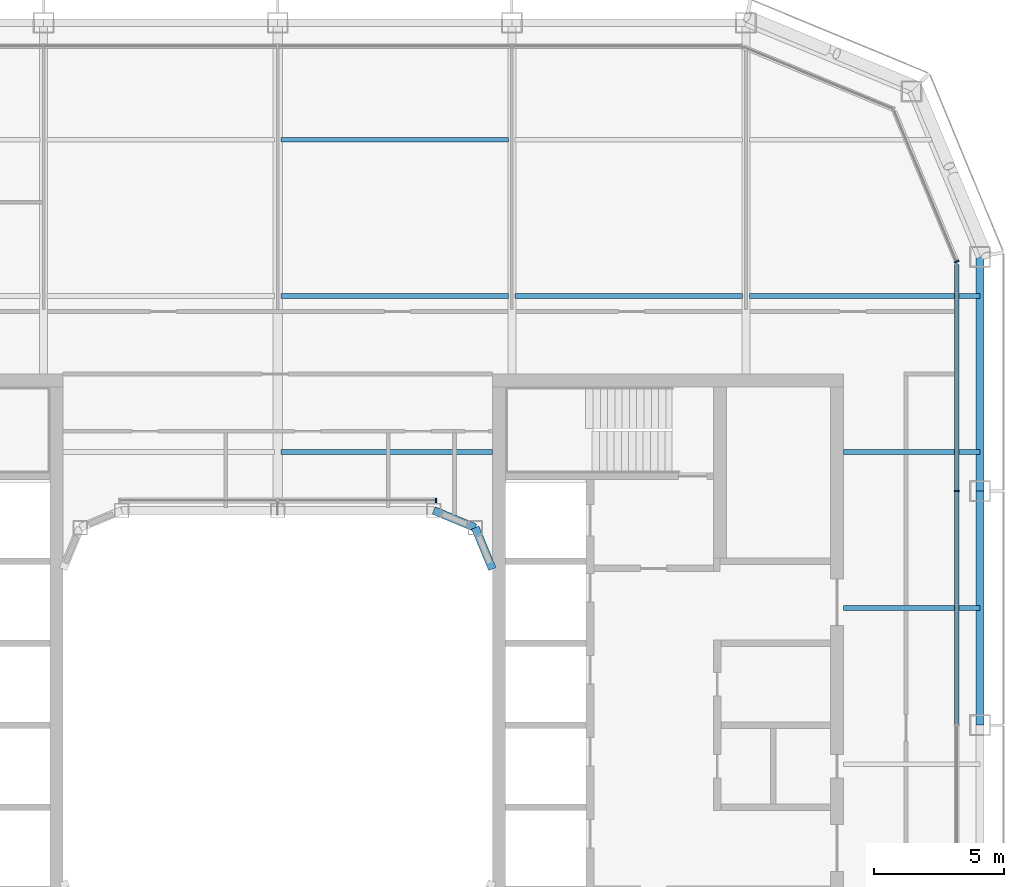
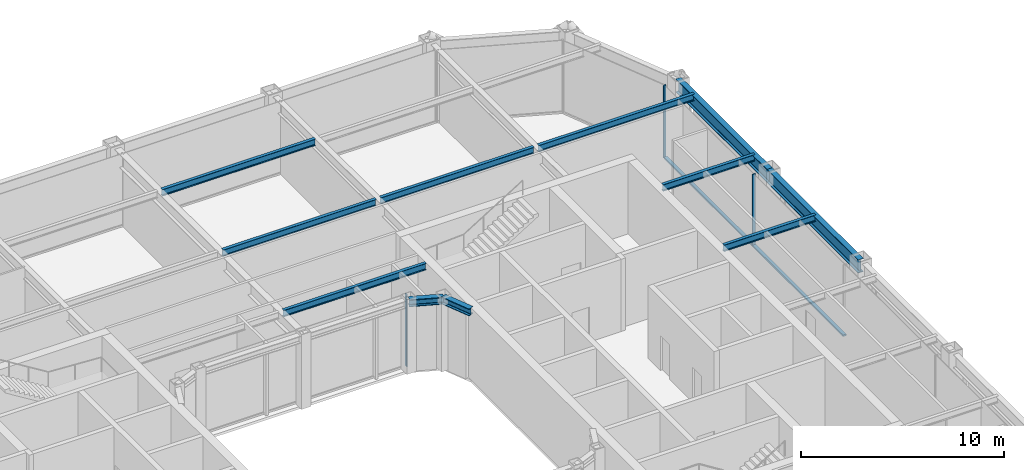
# One storey, part 9 of 23: 11 beams, 5 members, 3 elements without a shape of their own.
"""IFC4 building model written with IfcOpenShell, lengths in metres."""

from ifc_helpers import new_model, si_unit, direction, frame, origin, origin_2d, place, context, subcontext, project, spatial, rectangle, i_section, extrude, material, layer, layer_set, material_profile, profile_set, type_object, element, aggregate, save


model = new_model("IFC4")

# Units and contexts
model_context = context("Model", 3, precision=1e-05, world=origin(), true_north=direction((0.0, 1.0)))
body_context = subcontext(model_context, "Body", "Model", "MODEL_VIEW")
ifc_project = project(units=[si_unit("LENGTHUNIT", "METRE"), si_unit("AREAUNIT", "SQUARE_METRE"), si_unit("VOLUMEUNIT", "CUBIC_METRE"), si_unit("PLANEANGLEUNIT", "RADIAN"), si_unit("MASSUNIT", "GRAM", prefix="KILO")], contexts=[model_context])

# Site, building, storey
site_placement = place(None, origin())
site = spatial("IfcSite", under=ifc_project, at=site_placement, CompositionType="ELEMENT")
building_placement = place(site_placement, origin())
building = spatial("IfcBuilding", under=site, at=building_placement, Name="Siwar Civic Tower", CompositionType="ELEMENT")
storey_placement = place(building_placement, frame((0.0, 0.0, 251.199951171875)))
storey = spatial("IfcBuildingStorey", under=building, at=storey_placement, Name="L54", CompositionType="ELEMENT", Elevation=251.199951171875)

# Curtain wall, member
ifc_material_1 = material(Name="Aluminium and glass", Category="aluminium")
ifc_layer_1 = layer(ifc_material_1, 0.179931640625)
ifc_layer_set_1 = layer_set([ifc_layer_1], Name="Aluminium and glass")
curtain_wall_type_1 = type_object("IfcCurtainWallType", Name="ENV-CW-C", PredefinedType="NOTDEFINED", material=ifc_layer_set_1)
curtain_wall_1_placement = place(storey_placement, origin())
curtain_wall_1 = element("IfcCurtainWall", 1, at=curtain_wall_1_placement, inside=storey, type_object=curtain_wall_type_1, Name="Curtain wall C E", PredefinedType="NOTDEFINED")
ifc_material_2 = material(Name="Aluminium 6063-T6", Category="aluminium")
ifc_material_profile_1 = material_profile(ifc_material_2, rectangle(XDim=0.179931640625, YDim=0.06005859375, at=origin_2d()), Name="AL 180x60")
ifc_profile_set_1 = profile_set([ifc_material_profile_1], Name="Aluminium 6063-T6")
member_type_1 = type_object("IfcMemberType", Name="ENV-MULLION-C", PredefinedType="MULLION", material=ifc_profile_set_1)
member_1_placement = place(storey_placement, frame((26.10009765625, 9.0, 0.0), z_axis=(0.0, 0.0, 1.0), x_axis=(-1.0, 0.0, 0.0)))
member_1 = element("IfcMember", 2, at=member_1_placement, type_object=member_type_1, Name="Mullion C E 4", PredefinedType="MULLION", context=body_context, shape_type="SweptSolid", body=[
    extrude(rectangle(XDim=0.179931640625, YDim=0.06005859375, at=origin_2d()), origin(), (0.0, 0.0, 1.0), 4.35009765625),
])

ifc_material_3 = material(Name="Aluminium clad insulated panel", Category="aluminium")
ifc_layer_2 = layer(ifc_material_3, 0.179931640625)
ifc_layer_set_2 = layer_set([ifc_layer_2], Name="Aluminium clad insulated panel")
curtain_wall_type_2 = type_object("IfcCurtainWallType", Name="ENV-CW-CX", PredefinedType="NOTDEFINED", material=ifc_layer_set_2)
curtain_wall_2_placement = place(storey_placement, origin())
curtain_wall_2 = element("IfcCurtainWall", 3, at=curtain_wall_2_placement, inside=storey, type_object=curtain_wall_type_2, Name="Curtain wall C NE1", PredefinedType="NOTDEFINED")
member_2_placement = place(storey_placement, frame((26.10009765625, 17.821044921875, 0.0), z_axis=(0.0, 0.0, 1.0), x_axis=(-0.923879532511, -0.382683432365, 0.0)))
member_2 = element("IfcMember", 4, at=member_2_placement, type_object=member_type_1, Name="Mullion C NE1 1", PredefinedType="MULLION", context=body_context, shape_type="SweptSolid", body=[
    extrude(rectangle(XDim=0.179931640625, YDim=0.06005859375, at=origin_2d()), origin(), (0.0, 0.0, 1.0), 4.35009765625),
])
aggregate(curtain_wall_2, [member_2])

ifc_material_4 = material(Name="Aluminium and glass", Category="aluminium")
ifc_layer_3 = layer(ifc_material_4, 0.179931640625)
ifc_layer_set_3 = layer_set([ifc_layer_3], Name="Aluminium and glass")
curtain_wall_type_3 = type_object("IfcCurtainWallType", Name="ENV-CW-W", PredefinedType="NOTDEFINED", material=ifc_layer_set_3)
curtain_wall_3_placement = place(storey_placement, origin())
curtain_wall_3 = element("IfcCurtainWall", 5, at=curtain_wall_3_placement, inside=storey, type_object=curtain_wall_type_3, Name="Curtain wall W WN", PredefinedType="NOTDEFINED")
ifc_material_5 = material(Name="Aluminium 6063-T6", Category="aluminium")
ifc_material_profile_2 = material_profile(ifc_material_5, rectangle(XDim=0.179931640625, YDim=0.06005859375, at=origin_2d()), Name="AL 180x60")
ifc_profile_set_2 = profile_set([ifc_material_profile_2], Name="Aluminium 6063-T6")
member_type_2 = type_object("IfcMemberType", Name="ENV-MULLION-W", PredefinedType="MULLION", material=ifc_profile_set_2)
member_3_placement = place(storey_placement, frame((6.07666015625, 8.635009765625, 0.0), z_axis=(0.0, 0.0, 1.0), x_axis=(0.0, -1.0, 0.0)))
member_3 = element("IfcMember", 6, at=member_3_placement, type_object=member_type_2, Name="Mullion W WN 1", PredefinedType="MULLION", context=body_context, shape_type="SweptSolid", body=[
    extrude(rectangle(XDim=0.179931640625, YDim=0.06005859375, at=origin_2d()), origin(), (0.0, 0.0, 1.0), 4.35009765625),
])
aggregate(curtain_wall_3, [member_3])

# Member
ifc_material_6 = material(Name="Aluminium 6063-T6", Category="aluminium")
ifc_material_profile_3 = material_profile(ifc_material_6, rectangle(XDim=0.179931640625, YDim=0.10009765625, at=origin_2d()), Name="AL 180x100")
ifc_profile_set_3 = profile_set([ifc_material_profile_3], Name="Aluminium 6063-T6")
member_type_3 = type_object("IfcMemberType", Name="ENV-TRANSOM-C", PredefinedType="USERDEFINED", material=ifc_profile_set_3)
member_4_placement = place(storey_placement, frame((26.10009765625, 0.030029296875, 0.050048828125), z_axis=(0.0, 1.0, 0.0), x_axis=(-1.0, 0.0, 0.0)))
member_4 = element("IfcMember", 7, at=member_4_placement, type_object=member_type_3, Name="Transom C E 3", ObjectType="TRANSOM", PredefinedType="USERDEFINED", context=body_context, shape_type="SweptSolid", body=[
    extrude(rectangle(XDim=0.179931640625, YDim=0.10009765625, at=origin_2d()), origin(), (0.0, 0.0, 1.0), 8.93994140625),
])

member_5_placement = place(storey_placement, frame((26.10009765625, 9.030029296875, 0.050048828125), z_axis=(0.0, 1.0, 0.0), x_axis=(-1.0, 0.0, 0.0)))
member_5 = element("IfcMember", 8, at=member_5_placement, type_object=member_type_3, Name="Transom C E 4", ObjectType="TRANSOM", PredefinedType="USERDEFINED", context=body_context, shape_type="SweptSolid", body=[
    extrude(rectangle(XDim=0.179931640625, YDim=0.10009765625, at=origin_2d()), origin(), (0.0, 0.0, 1.0), 8.68603515625),
])

aggregate(curtain_wall_1, [member_1, member_4, member_5])

# Beams
ifc_material_7 = material(Name="Steel S355", Category="steel")
ifc_material_profile_4 = material_profile(ifc_material_7, i_section(OverallWidth=0.179931640625, OverallDepth=0.39990234375, WebThickness=0.008544921875, FlangeThickness=0.013427734375, FilletRadius=0.02099609375, at=origin_2d()), Name="IPE400")
ifc_profile_set_4 = profile_set([ifc_material_profile_4], Name="Steel S355")
beam_type_1 = type_object("IfcBeamType", Name="STR-FB-IPE400", PredefinedType="JOIST", material=ifc_profile_set_4)
beam_1_placement = place(storey_placement, frame((21.75, 4.5, 4.150146484375), z_axis=(1.0, 0.0, 0.0), x_axis=(0.0, 1.0, 0.0)))
element("IfcBeam", 9, at=beam_1_placement, inside=storey, type_object=beam_type_1, Name="L54/bm/F026", PredefinedType="JOIST", context=body_context, shape_type="SweptSolid", body=[
    extrude(i_section(OverallWidth=0.179931640625, OverallDepth=0.39990234375, WebThickness=0.008544921875, FlangeThickness=0.013427734375, FilletRadius=0.02099609375, at=origin_2d()), origin(), (0.0, 0.0, 1.0), 5.25),
])
beam_2_placement = place(storey_placement, frame((0.1298828125, 10.5, 4.150146484375), z_axis=(1.0, 0.0, 0.0), x_axis=(0.0, 1.0, 0.0)))
element("IfcBeam", 10, at=beam_2_placement, inside=storey, type_object=beam_type_1, Name="L54/bm/F029", PredefinedType="JOIST", context=body_context, shape_type="SweptSolid", body=[
    extrude(i_section(OverallWidth=0.179931640625, OverallDepth=0.39990234375, WebThickness=0.008544921875, FlangeThickness=0.013427734375, FilletRadius=0.02099609375, at=origin_2d()), origin(), (0.0, 0.0, 1.0), 8.1201171875),
])
beam_3_placement = place(storey_placement, frame((21.75, 10.5, 4.150146484375), z_axis=(1.0, 0.0, 0.0), x_axis=(0.0, 1.0, 0.0)))
element("IfcBeam", 11, at=beam_3_placement, inside=storey, type_object=beam_type_1, Name="L54/bm/F030", PredefinedType="JOIST", context=body_context, shape_type="SweptSolid", body=[
    extrude(i_section(OverallWidth=0.179931640625, OverallDepth=0.39990234375, WebThickness=0.008544921875, FlangeThickness=0.013427734375, FilletRadius=0.02099609375, at=origin_2d()), origin(), (0.0, 0.0, 1.0), 5.25),
])
for number, where, z_axis, x_axis, name in (
    (12, (0.1298828125, 16.5, 4.150146484375), (1.0, 0.0, 0.0), (0.0, 1.0, 0.0), "L54/bm/F034"),
    (13, (9.1298828125, 16.5, 4.150146484375), (1.0, 0.0, 0.0), (0.0, 1.0, 0.0), "L54/bm/F035"),
):
    element("IfcBeam", number, at=place(storey_placement, frame(where, z_axis=z_axis, x_axis=x_axis)), inside=storey, type_object=beam_type_1, Name=name, PredefinedType="JOIST", context=body_context, shape_type="SweptSolid", body=[
        extrude(i_section(OverallWidth=0.179931640625, OverallDepth=0.39990234375, WebThickness=0.008544921875, FlangeThickness=0.013427734375, FilletRadius=0.02099609375, at=origin_2d()), origin(), (0.0, 0.0, 1.0), 8.740234375),
    ])
beam_4_placement = place(storey_placement, frame((18.1298828125, 16.5, 4.150146484375), z_axis=(1.0, 0.0, 0.0), x_axis=(0.0, 1.0, 0.0)))
element("IfcBeam", 14, at=beam_4_placement, inside=storey, type_object=beam_type_1, Name="L54/bm/F036", PredefinedType="JOIST", context=body_context, shape_type="SweptSolid", body=[
    extrude(i_section(OverallWidth=0.179931640625, OverallDepth=0.39990234375, WebThickness=0.008544921875, FlangeThickness=0.013427734375, FilletRadius=0.02099609375, at=origin_2d()), origin(), (0.0, 0.0, 1.0), 8.8701171875),
])
beam_5_placement = place(storey_placement, frame((0.1298828125, 22.5, 4.150146484375), z_axis=(1.0, 0.0, 0.0), x_axis=(0.0, 1.0, 0.0)))
element("IfcBeam", 15, at=beam_5_placement, inside=storey, type_object=beam_type_1, Name="L54/bm/F040", PredefinedType="JOIST", context=body_context, shape_type="SweptSolid", body=[
    extrude(i_section(OverallWidth=0.179931640625, OverallDepth=0.39990234375, WebThickness=0.008544921875, FlangeThickness=0.013427734375, FilletRadius=0.02099609375, at=origin_2d()), origin(), (0.0, 0.0, 1.0), 8.740234375),
])
ifc_material_8 = material(Name="Steel S355", Category="steel")
ifc_material_profile_5 = material_profile(ifc_material_8, i_section(OverallWidth=0.306884765625, OverallDepth=0.431884765625, WebThickness=0.02099609375, FlangeThickness=0.0400390625, FilletRadius=0.027099609375, at=origin_2d()), Name="HEM400")
ifc_profile_set_5 = profile_set([ifc_material_profile_5], Name="Steel S355")
beam_type_2 = type_object("IfcBeamType", Name="STR-RB-HEM400", PredefinedType="BEAM", material=ifc_profile_set_5)
for number, where, z_axis, x_axis, name in (
    (16, (6.0, 8.25, 4.134033203125), (0.923901072997, -0.382631424892, 0.0), (0.382631424892, 0.923901072997, 0.0), "L54/bm/RN3"),
    (17, (7.591064453125, 7.591064453125, 4.134033203125), (0.382631424892, -0.923901072997, 0.0), (0.923901072997, 0.382631424892, 0.0), "L54/bm/RNEE"),
):
    element("IfcBeam", number, at=place(storey_placement, frame(where, z_axis=z_axis, x_axis=x_axis)), inside=storey, type_object=beam_type_2, Name=name, PredefinedType="BEAM", context=body_context, shape_type="SweptSolid", body=[
        extrude(i_section(OverallWidth=0.306884765625, OverallDepth=0.431884765625, WebThickness=0.02099609375, FlangeThickness=0.0400390625, FilletRadius=0.027099609375, at=origin_2d()), origin(), (0.0, 0.0, 1.0), 1.72216796875),
    ])
ifc_material_9 = material(Name="Steel S355", Category="steel")
ifc_material_profile_6 = material_profile(ifc_material_9, i_section(OverallWidth=0.300048828125, OverallDepth=0.800048828125, WebThickness=0.017578125, FlangeThickness=0.032958984375, FilletRadius=0.030029296875, at=origin_2d()), Name="HEB800")
ifc_profile_set_6 = profile_set([ifc_material_profile_6], Name="Steel S355")
beam_type_3 = type_object("IfcBeamType", Name="STR-SB-HEB800", PredefinedType="BEAM", material=ifc_profile_set_6)
for number, where, z_axis, x_axis, name in (
    (18, (27.0, 0.0, 3.949951171875), (0.0, 1.0, 0.0), (-1.0, 0.0, 0.0), "L54/bm/SE-2"),
    (19, (27.0, 9.0, 3.949951171875), (0.0, 1.0, 0.0), (-1.0, 0.0, 0.0), "L54/bm/SE-3"),
):
    element("IfcBeam", number, at=place(storey_placement, frame(where, z_axis=z_axis, x_axis=x_axis)), inside=storey, type_object=beam_type_3, Name=name, PredefinedType="BEAM", context=body_context, shape_type="SweptSolid", body=[
        extrude(i_section(OverallWidth=0.300048828125, OverallDepth=0.800048828125, WebThickness=0.017578125, FlangeThickness=0.032958984375, FilletRadius=0.030029296875, at=origin_2d()), origin(), (0.0, 0.0, 1.0), 9.0),
    ])

save(model, "model.ifc")
